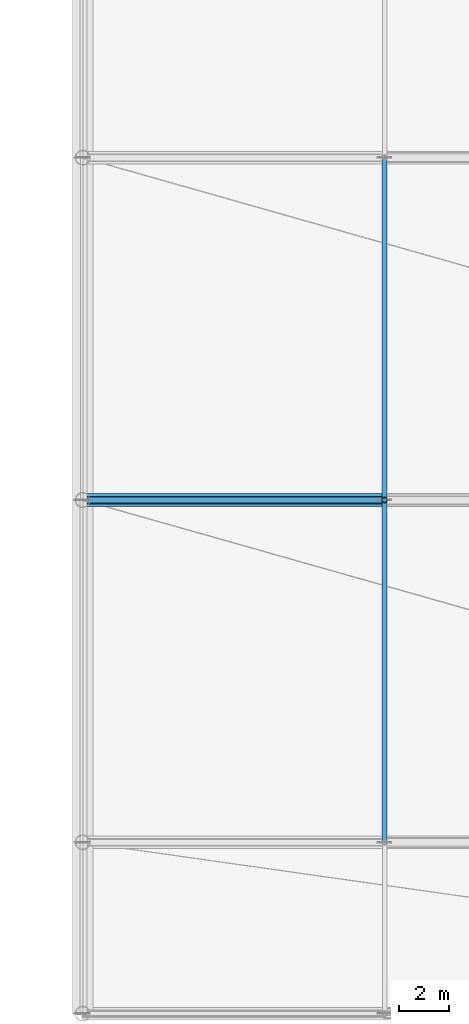
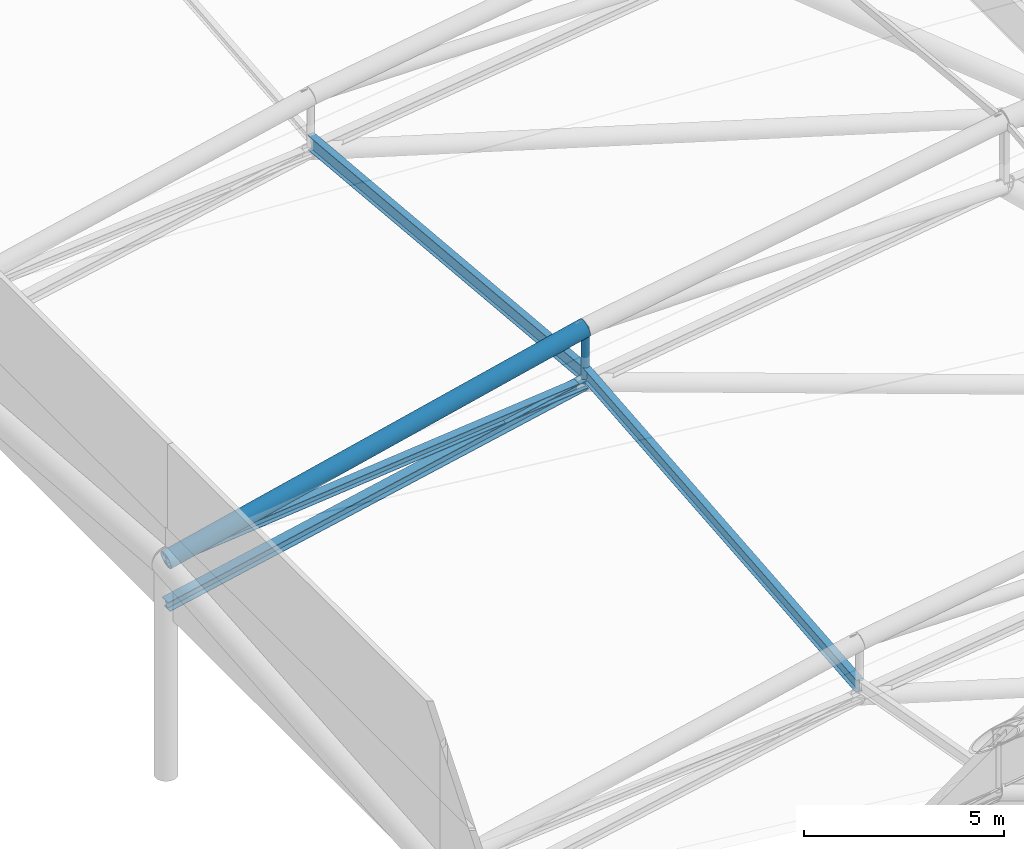
# One storey, part 33 of 113: 6 members.
"""IFC4 building model written with IfcOpenShell, lengths in metres."""

import ifcopenshell
import ifcopenshell.guid

model = None  # the IFC model being written
_history = None  # IfcOwnerHistory: only IFC2X3 demands one
_inside = {}  # id of a spatial element -> (the spatial element, [elements in it])
_under = {}  # id of a project, library or spatial element -> (it, [spatial elements below it])
_declared = {}  # id of a project -> (the project, [libraries it declares])
_typed = {}  # id of a type object -> (the type object, [elements of that type])
_made_of = {}  # id of a material, layer set ... -> (it, [elements and type objects made of it])


def new_model(schema):
    """Start an empty IFC model of exactly this schema.

    Asked for "IFC4X3", IfcOpenShell would pick the latest addendum, in which some entities
    have other attributes; the version numbers below select the first issue.
    IFC2X3 requires an IfcOwnerHistory on every rooted entity: one is made here for all.
    """
    global model, _history
    if schema == "IFC4X3":
        model = ifcopenshell.file(schema_version=(4, 3, 0, 0))
    else:
        model = ifcopenshell.file(schema=schema)
    _inside.clear()
    _under.clear()
    _declared.clear()
    _typed.clear()
    _made_of.clear()
    _history = None
    if model.schema == "IFC2X3":
        org = make("IfcOrganization", Name="unknown")
        user = make(
            "IfcPersonAndOrganization",
            ThePerson=make("IfcPerson", FamilyName="unknown"),
            TheOrganization=org,
        )
        app = make(
            "IfcApplication",
            ApplicationDeveloper=org,
            Version="unknown",
            ApplicationFullName="unknown",
            ApplicationIdentifier="unknown",
        )
        _history = make(
            "IfcOwnerHistory",
            OwningUser=user,
            OwningApplication=app,
            ChangeAction="ADDED",
            CreationDate=0,
        )
    return model


def make(cls, **values):
    """One entity of the class cls with the attributes given. An attribute that is None is left unset."""
    return model.create_entity(
        cls, **{name: value for name, value in values.items() if value is not None}
    )


def rooted(cls, **values):
    """An entity with a GlobalId (a new one), such as an element, a storey or a relation."""
    return make(cls, GlobalId=ifcopenshell.guid.new(), OwnerHistory=_history, **values)


def si_unit(unit_type, name, prefix=None):
    """IfcSIUnit, for example si_unit("LENGTHUNIT", "METRE", prefix="MILLI")."""
    return make("IfcSIUnit", UnitType=unit_type, Prefix=prefix, Name=name)


def assignment(units):
    """IfcUnitAssignment: the units of a project."""
    return None if units is None else make("IfcUnitAssignment", Units=units)


def point(xyz):
    """IfcCartesianPoint."""
    return None if xyz is None else make("IfcCartesianPoint", Coordinates=xyz)


def direction(xyz):
    """IfcDirection."""
    return None if xyz is None else make("IfcDirection", DirectionRatios=xyz)


def frame(location, z_axis=None, x_axis=None):
    """IfcAxis2Placement3D, a coordinate frame: its origin and axes. An axis left out is left unset."""
    return make(
        "IfcAxis2Placement3D",
        Location=point(location),
        Axis=direction(z_axis),
        RefDirection=direction(x_axis),
    )


def frame_2d(location, x_axis=None):
    """IfcAxis2Placement2D, a coordinate frame in the plane: its origin and x axis."""
    return make(
        "IfcAxis2Placement2D", Location=point(location), RefDirection=direction(x_axis)
    )


def origin():
    """The frame at (0, 0, 0) with its axes left unset."""
    return frame((0.0, 0.0, 0.0))


def origin_2d():
    """The frame at (0, 0) in the plane with its x axis left unset."""
    return frame_2d((0.0, 0.0))


def place(relative_to, where):
    """IfcLocalPlacement: puts the frame where relative to a parent placement (None: the world)."""
    return make(
        "IfcLocalPlacement", PlacementRelTo=relative_to, RelativePlacement=where
    )


def context(
    kind, dimensions, precision=None, world=None, true_north=None, identifier=None
):
    """IfcGeometricRepresentationContext, for example the 3D "Model" context."""
    return make(
        "IfcGeometricRepresentationContext",
        ContextIdentifier=identifier,
        ContextType=kind,
        CoordinateSpaceDimension=dimensions,
        Precision=precision,
        WorldCoordinateSystem=world,
        TrueNorth=true_north,
    )


def subcontext(parent, identifier, kind, view, scale=None):
    """IfcGeometricRepresentationSubContext, for example "Body" below "Model"."""
    return make(
        "IfcGeometricRepresentationSubContext",
        ContextIdentifier=identifier,
        ContextType=kind,
        ParentContext=parent,
        TargetScale=scale,
        TargetView=view,
    )


def project(units=None, contexts=None):
    """IfcProject with its units and contexts."""
    return rooted(
        "IfcProject",
        Name="project",
        RepresentationContexts=contexts,
        UnitsInContext=assignment(units),
    )


def spatial(cls, under=None, at=None, **own):
    """A site, building, storey or space (cls), placed at a placement, below another one or the project."""
    s = rooted(cls, ObjectPlacement=at, **own)
    if under is not None:
        _under.setdefault(under.id(), (under, []))[1].append(s)
    return s


def profile(cls, at=None, kind="AREA", **sizes):
    """A parametric profile (cls). Its sizes go by their IFC names, for example OverallWidth=200.0."""
    return make(cls, ProfileType=kind, Position=at, **sizes)


def hollow_circle(**sizes):
    """IfcCircleHollowProfileDef."""
    return profile("IfcCircleHollowProfileDef", **sizes)


def i_section(**sizes):
    """IfcIShapeProfileDef."""
    return profile("IfcIShapeProfileDef", **sizes)


def extrude(swept, where, along, depth):
    """IfcExtrudedAreaSolid: the profile swept, set in the frame where, extruded along a direction by depth."""
    return make(
        "IfcExtrudedAreaSolid",
        SweptArea=swept,
        Position=where,
        ExtrudedDirection=direction(along),
        Depth=depth,
    )


def shape(context_of_items, identifier, shape_type, items):
    """IfcShapeRepresentation: the items that make up one representation, for example the "Body"."""
    return make(
        "IfcShapeRepresentation",
        ContextOfItems=context_of_items,
        RepresentationIdentifier=identifier,
        RepresentationType=shape_type,
        Items=items,
    )


def material(Name=None, Category=None):
    """IfcMaterial."""
    return make("IfcMaterial", Name=Name, Category=Category)


def material_profile(
    of_material, cross_section, Name=None, Category=None, Priority=None
):
    """IfcMaterialProfile: a cross section and its material."""
    return make(
        "IfcMaterialProfile",
        Name=Name,
        Material=of_material,
        Profile=cross_section,
        Priority=Priority,
        Category=Category,
    )


def profile_set(profiles, Name=None, composite=None):
    """IfcMaterialProfileSet."""
    return make(
        "IfcMaterialProfileSet",
        Name=Name,
        MaterialProfiles=profiles,
        CompositeProfile=composite,
    )


def made_of(thing, what):
    """Note that an element or type object is made of a material, layer set ...; save() writes the relation."""
    if what is not None:
        _made_of.setdefault(what.id(), (what, []))[1].append(thing)
    return thing


def type_object(cls, material=None, **own):
    """A type object (cls), such as IfcWallType, which elements share."""
    return made_of(rooted(cls, **own), material)


def element(
    cls,
    number,
    at=None,
    inside=None,
    cuts=None,
    type_object=None,
    material=None,
    context=None,
    identifier="Body",
    shape_type=None,
    held_by="IfcProductDefinitionShape",
    body=None,
    shapes=None,
    **own,
):
    """One element of the class cls, such as IfcWall. Its Tag is "e" and its number.

    at: its placement. inside: the storey or other place that contains it. cuts: it is an
    opening in that element (IfcRelVoidsElement). A single representation is given by context,
    identifier, shape_type and body (its items); several are given by shapes. held_by: the class
    of the entity that holds the representations. save() writes the other relations.
    """
    e = rooted(cls, Tag="e%d" % number, ObjectPlacement=at, **own)
    if body is not None:
        shapes = [shape(context, identifier, shape_type, body)]
    if shapes is not None:
        e.Representation = make(held_by, Representations=shapes)
    if inside is not None:
        _inside.setdefault(inside.id(), (inside, []))[1].append(e)
    if cuts is not None:
        rooted(
            "IfcRelVoidsElement", RelatingBuildingElement=cuts, RelatedOpeningElement=e
        )
    if type_object is not None:
        _typed.setdefault(type_object.id(), (type_object, []))[1].append(e)
    return made_of(e, material)


def aggregate(whole, parts):
    """IfcRelAggregates: a whole, such as a stair, and the parts it consists of."""
    return rooted("IfcRelAggregates", RelatingObject=whole, RelatedObjects=parts)


def save(model, path):
    """Write the relations noted so far, then the file.

    IfcRelAggregates (storeys below a building ...), IfcRelContainedInSpatialStructure (elements
    in a storey), IfcRelDefinesByType, IfcRelAssociatesMaterial and IfcRelDeclares: one each for
    every whole, place, type object, material and project.
    """
    for whole, parts in _under.values():
        aggregate(whole, parts)
    for where, things in _inside.values():
        rooted(
            "IfcRelContainedInSpatialStructure",
            RelatedElements=things,
            RelatingStructure=where,
        )
    for kind, things in _typed.values():
        rooted("IfcRelDefinesByType", RelatedObjects=things, RelatingType=kind)
    for what, things in _made_of.values():
        rooted("IfcRelAssociatesMaterial", RelatedObjects=things, RelatingMaterial=what)
    for by, libraries in _declared.values():
        rooted("IfcRelDeclares", RelatingContext=by, RelatedDefinitions=libraries)
    model.write(path)


model = new_model("IFC4")

# Units and contexts
model_context = context("Model", 3, precision=1e-05, world=origin(), true_north=direction((0.0, 1.0)))
body_context = subcontext(model_context, "Body", "Model", "MODEL_VIEW")
ifc_project = project(units=[si_unit("LENGTHUNIT", "METRE"), si_unit("AREAUNIT", "SQUARE_METRE"), si_unit("VOLUMEUNIT", "CUBIC_METRE"), si_unit("PLANEANGLEUNIT", "RADIAN"), si_unit("MASSUNIT", "GRAM", prefix="KILO")], contexts=[model_context])

# Site, building, storey
site_placement = place(None, origin())
site = spatial("IfcSite", under=ifc_project, at=site_placement, CompositionType="ELEMENT")
building_placement = place(site_placement, origin())
building = spatial("IfcBuilding", under=site, at=building_placement, Name="Linyun Crest Stadium", CompositionType="ELEMENT")
storey_placement = place(building_placement, frame((0.0, 0.0, 26.39990234375)))
storey = spatial("IfcBuildingStorey", under=building, at=storey_placement, Name="L06", CompositionType="ELEMENT", Elevation=26.39990234375)

# Members
ifc_material_1 = material(Name="Steel Q355B", Category="steel")
ifc_material_profile_1 = material_profile(ifc_material_1, i_section(OverallWidth=0.199951171875, OverallDepth=0.39990234375, WebThickness=0.008056640625, FlangeThickness=0.012939453125, at=origin_2d()), Name="HN 400x200")
ifc_profile_set_1 = profile_set([ifc_material_profile_1], Name="Steel Q355B")
member_type_1 = type_object("IfcMemberType", Name="PR03", PredefinedType="PURLIN", material=ifc_profile_set_1)
member_1_placement = place(storey_placement, frame((47.625, -39.125, 6.814208984375), z_axis=(0.0, 0.99587405243, 0.09074619384), x_axis=(-1.0, 0.0, 0.0)))
element("IfcMember", 1, at=member_1_placement, inside=storey, type_object=member_type_1, Name="Roof canopy purlin PR03 V2 338", PredefinedType="PURLIN", context=body_context, shape_type="SweptSolid", body=[
    extrude(i_section(OverallWidth=0.199951171875, OverallDepth=0.39990234375, WebThickness=0.008056640625, FlangeThickness=0.012939453125, at=origin_2d()), origin(), (0.0, 0.0, 1.0), 13.806884765625),
])
ifc_material_2 = material(Name="Steel Q355B", Category="steel")
ifc_material_profile_2 = material_profile(ifc_material_2, i_section(OverallWidth=0.199951171875, OverallDepth=0.449951171875, WebThickness=0.009033203125, FlangeThickness=0.013916015625, at=origin_2d()), Name="HN 450x200")
ifc_profile_set_2 = profile_set([ifc_material_profile_2], Name="Steel Q355B")
member_type_2 = type_object("IfcMemberType", Name="PR04", PredefinedType="PURLIN", material=ifc_profile_set_2)
member_2_placement = place(storey_placement, frame((47.625, -25.375, 8.0419921875), z_axis=(0.0, 0.99587405243, -0.09074619384), x_axis=(-1.0, 0.0, 0.0)))
element("IfcMember", 2, at=member_2_placement, inside=storey, type_object=member_type_2, Name="Roof canopy purlin PR04 V2 342", PredefinedType="PURLIN", context=body_context, shape_type="SweptSolid", body=[
    extrude(i_section(OverallWidth=0.199951171875, OverallDepth=0.449951171875, WebThickness=0.009033203125, FlangeThickness=0.013916015625, at=origin_2d()), origin(), (0.0, 0.0, 1.0), 13.806884765625),
])
ifc_material_3 = material(Name="Steel Q420C", Category="steel")
ifc_material_profile_3 = material_profile(ifc_material_3, hollow_circle(Radius=0.25390625, WallThickness=0.02490234375, at=origin_2d()), Name="CHS 508x25")
ifc_profile_set_3 = profile_set([ifc_material_profile_3], Name="Steel Q420C")
member_type_3 = type_object("IfcMemberType", Name="TC01", PredefinedType="CHORD", material=ifc_profile_set_3)
member_3_placement = place(storey_placement, frame((47.625, -25.375, 9.427001953125), z_axis=(-0.973038645725, 0.0, -0.230642133889), x_axis=(0.0, -1.0, 0.0)))
element("IfcMember", 3, at=member_3_placement, inside=storey, type_object=member_type_3, Name="Roof truss top chord TC01 V2 232", PredefinedType="CHORD", context=body_context, shape_type="SweptSolid", body=[
    extrude(hollow_circle(Radius=0.25390625, WallThickness=0.02490234375, at=origin_2d()), origin(), (0.0, 0.0, 1.0), 12.4609375),
])
ifc_material_4 = material(Name="Steel Q355C", Category="steel")
ifc_material_profile_4 = material_profile(ifc_material_4, i_section(OverallWidth=0.300048828125, OverallDepth=0.300048828125, WebThickness=0.010009765625, FlangeThickness=0.014892578125, at=origin_2d()), Name="HW 300x300")
ifc_profile_set_4 = profile_set([ifc_material_profile_4], Name="Steel Q355C")
member_type_4 = type_object("IfcMemberType", Name="TC03", PredefinedType="CHORD", material=ifc_profile_set_4)
member_4_placement = place(storey_placement, frame((47.625, -25.375, 7.76318359375), z_axis=(-0.978396930503, 0.0, -0.206735208374), x_axis=(0.0, -1.0, 0.0)))
element("IfcMember", 4, at=member_4_placement, inside=storey, type_object=member_type_4, Name="Roof truss bottom chord TC03 V2 233", PredefinedType="CHORD", context=body_context, shape_type="SweptSolid", body=[
    extrude(i_section(OverallWidth=0.300048828125, OverallDepth=0.300048828125, WebThickness=0.010009765625, FlangeThickness=0.014892578125, at=origin_2d()), origin(), (0.0, 0.0, 1.0), 12.392822265625),
])
ifc_material_5 = material(Name="Steel Q355C", Category="steel")
ifc_material_profile_5 = material_profile(ifc_material_5, i_section(OverallWidth=0.25, OverallDepth=0.25, WebThickness=0.009033203125, FlangeThickness=0.013916015625, at=origin_2d()), Name="HW 250x250")
ifc_profile_set_5 = profile_set([ifc_material_profile_5], Name="Steel Q355C")
member_type_5 = type_object("IfcMemberType", Name="TD04", PredefinedType="BRACE", material=ifc_profile_set_5)
member_5_placement = place(storey_placement, frame((47.625, -25.375, 7.76318359375), z_axis=(-0.995055819877, 0.0, -0.099317245875), x_axis=(0.0, -1.0, 0.0)))
element("IfcMember", 5, at=member_5_placement, inside=storey, type_object=member_type_5, Name="Roof truss diagonal TD04 V2 234", PredefinedType="BRACE", context=body_context, shape_type="SweptSolid", body=[
    extrude(i_section(OverallWidth=0.25, OverallDepth=0.25, WebThickness=0.009033203125, FlangeThickness=0.013916015625, at=origin_2d()), origin(), (0.0, 0.0, 1.0), 12.185302734375),
])
ifc_material_6 = material(Name="Steel Q355C", Category="steel")
ifc_material_profile_6 = material_profile(ifc_material_6, hollow_circle(Radius=0.109619140625, WallThickness=0.011962890625, at=origin_2d()), Name="CHS 219x12")
ifc_profile_set_6 = profile_set([ifc_material_profile_6], Name="Steel Q355C")
member_type_6 = type_object("IfcMemberType", Name="TV01", PredefinedType="STRUT", material=ifc_profile_set_6)
member_6_placement = place(storey_placement, frame((47.625, -25.375, 7.76318359375), z_axis=(0.0, 0.0, 1.0), x_axis=(1.0, 0.0, 0.0)))
element("IfcMember", 6, at=member_6_placement, inside=storey, type_object=member_type_6, Name="Roof vertical strut TV01 V2 235", PredefinedType="STRUT", context=body_context, shape_type="SweptSolid", body=[
    extrude(hollow_circle(Radius=0.109619140625, WallThickness=0.011962890625, at=origin_2d()), origin(), (0.0, 0.0, 1.0), 1.663818359375),
])

save(model, "model.ifc")
